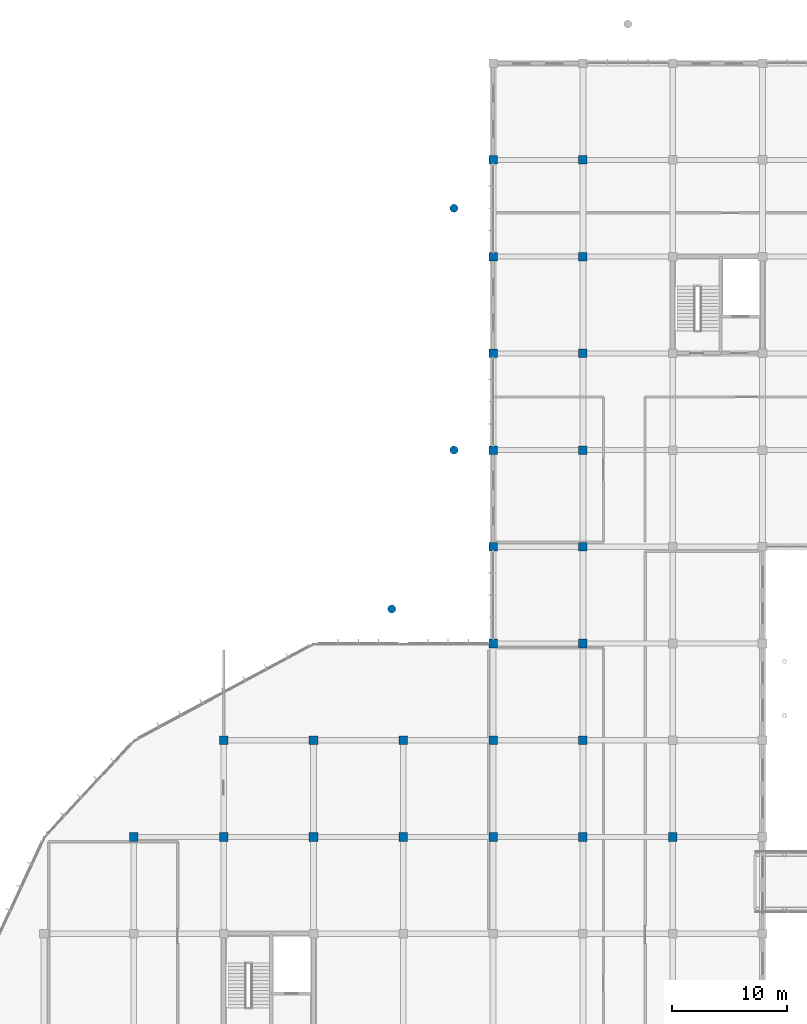
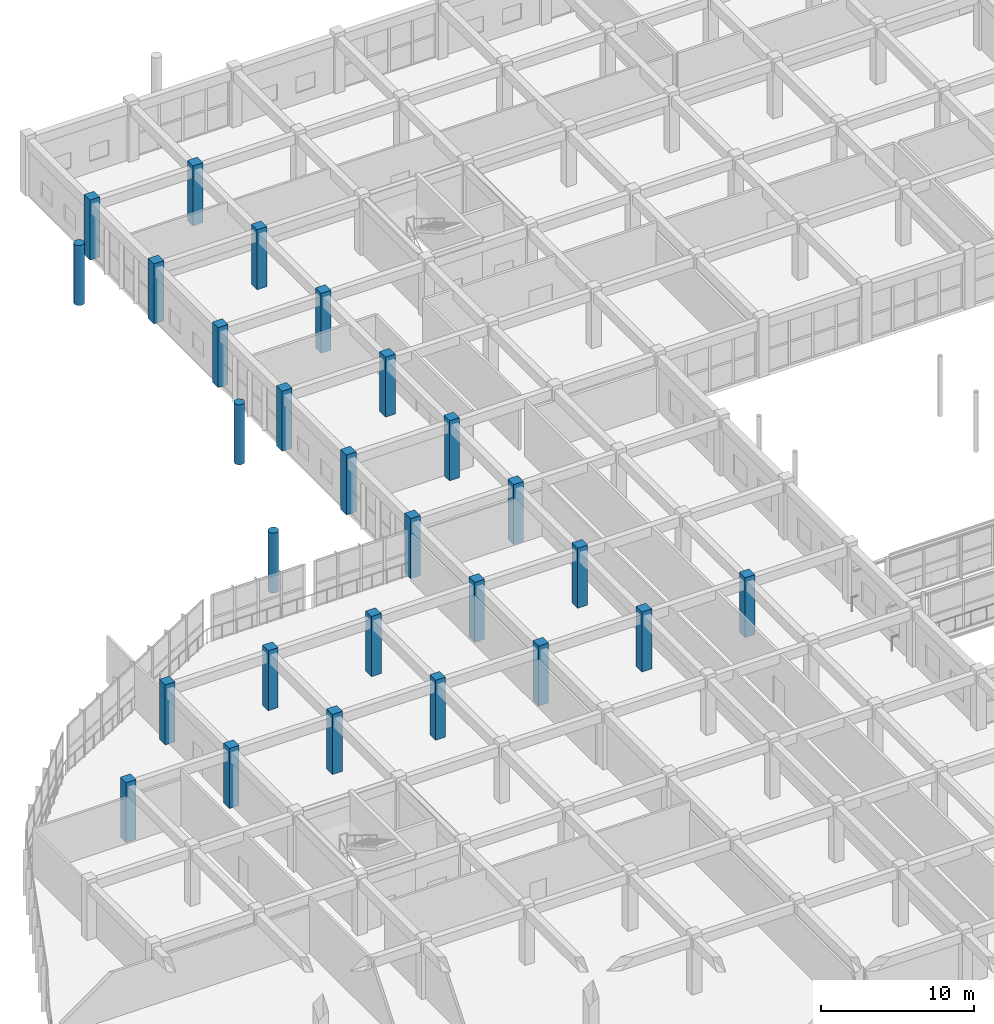
# One storey, part 4 of 175: 27 columns.
"""IFC4 building model written with IfcOpenShell, lengths in metres."""

from ifc_helpers import new_model, si_unit, direction, frame, origin, origin_2d, place, context, subcontext, project, spatial, rectangle, circle, extrude, material, material_profile, profile_set, type_object, element, save


model = new_model("IFC4")

# Units and contexts
model_context = context("Model", 3, precision=1e-05, world=origin(), true_north=direction((0.0, 1.0)))
body_context = subcontext(model_context, "Body", "Model", "MODEL_VIEW")
ifc_project = project(units=[si_unit("LENGTHUNIT", "METRE"), si_unit("AREAUNIT", "SQUARE_METRE"), si_unit("VOLUMEUNIT", "CUBIC_METRE"), si_unit("PLANEANGLEUNIT", "RADIAN"), si_unit("MASSUNIT", "GRAM", prefix="KILO")], contexts=[model_context])

# Site, building, storey
site_placement = place(None, origin())
site = spatial("IfcSite", under=ifc_project, at=site_placement, CompositionType="ELEMENT")
building_placement = place(site_placement, origin())
building = spatial("IfcBuilding", under=site, at=building_placement, Name="Zizhar Promenade General Hospital", CompositionType="ELEMENT")
storey_placement = place(building_placement, frame((0.0, 0.0, 4.800048828125)))
storey = spatial("IfcBuildingStorey", under=building, at=storey_placement, Name="L01", CompositionType="ELEMENT", Elevation=4.800048828125)

# Columns
ifc_material_1 = material(Name="Concrete C40/50", Category="concrete")
ifc_material_profile_1 = material_profile(ifc_material_1, circle(Radius=0.35009765625, at=origin_2d()))
ifc_profile_set_1 = profile_set([ifc_material_profile_1], Name="Concrete C40/50")
column_type_1 = type_object("IfcColumnType", Name="COL-CIRC-700", PredefinedType="PILASTER", material=ifc_profile_set_1)
for number, where, z_axis, x_axis, name in (
    (1, (38.0, 87.0, 0.0), (0.0, 0.0, 1.0), (1.0, 0.0, 0.0), "Base Roof Colonnade Column 03 (L01)"),
    (2, (43.39990234375, 100.800048828125, 0.0), (0.0, 0.0, 1.0), (1.0, 0.0, 0.0), "Base Roof Colonnade Column 04 (L01)"),
    (3, (43.39990234375, 121.800048828125, 0.0), (0.0, 0.0, 1.0), (1.0, 0.0, 0.0), "Base Roof Colonnade Column 05 (L01)"),
):
    element("IfcColumn", number, at=place(storey_placement, frame(where, z_axis=z_axis, x_axis=x_axis)), inside=storey, type_object=column_type_1, Name=name, PredefinedType="PILASTER", context=body_context, shape_type="SweptSolid", body=[
        extrude(circle(Radius=0.35009765625, at=origin_2d()), origin(), (0.0, 0.0, 1.0), 4.800048828125),
    ])
ifc_material_2 = material(Name="Concrete C40/50", Category="concrete")
ifc_material_profile_2 = material_profile(ifc_material_2, rectangle(XDim=0.75, YDim=0.75, at=origin_2d()))
ifc_profile_set_2 = profile_set([ifc_material_profile_2], Name="Concrete C40/50")
column_type_2 = type_object("IfcColumnType", Name="COL-RC-750", PredefinedType="COLUMN", material=ifc_profile_set_2)
for number, where, z_axis, x_axis, name in (
    (4, (15.60009765625, 67.199951171875, 0.0), (0.0, 0.0, 1.0), (1.0, 0.0, 0.0), "Column 3-J (L01)"),
    (5, (23.39990234375, 67.199951171875, 0.0), (0.0, 0.0, 1.0), (1.0, 0.0, 0.0), "Column 4-J (L01)"),
    (6, (23.39990234375, 75.60009765625, 0.0), (0.0, 0.0, 1.0), (1.0, 0.0, 0.0), "Column 4-K (L01)"),
    (7, (31.199951171875, 67.199951171875, 0.0), (0.0, 0.0, 1.0), (1.0, 0.0, 0.0), "Column 5-J (L01)"),
    (8, (31.199951171875, 75.60009765625, 0.0), (0.0, 0.0, 1.0), (1.0, 0.0, 0.0), "Column 5-K (L01)"),
    (9, (39.0, 67.199951171875, 0.0), (0.0, 0.0, 1.0), (1.0, 0.0, 0.0), "Column 6-J (L01)"),
    (10, (39.0, 75.60009765625, 0.0), (0.0, 0.0, 1.0), (1.0, 0.0, 0.0), "Column 6-K (L01)"),
    (11, (46.800048828125, 67.199951171875, 0.0), (0.0, 0.0, 1.0), (1.0, 0.0, 0.0), "Column 7-J (L01)"),
    (12, (46.800048828125, 75.60009765625, 0.0), (0.0, 0.0, 1.0), (1.0, 0.0, 0.0), "Column 7-K (L01)"),
    (13, (46.800048828125, 84.0, 0.0), (0.0, 0.0, 1.0), (1.0, 0.0, 0.0), "Column 7-L (L01)"),
    (14, (46.800048828125, 92.39990234375, 0.0), (0.0, 0.0, 1.0), (1.0, 0.0, 0.0), "Column 7-M (L01)"),
    (15, (46.800048828125, 100.800048828125, 0.0), (0.0, 0.0, 1.0), (1.0, 0.0, 0.0), "Column 7-N (L01)"),
    (16, (46.800048828125, 109.199951171875, 0.0), (0.0, 0.0, 1.0), (1.0, 0.0, 0.0), "Column 7-P (L01)"),
    (17, (46.800048828125, 117.60009765625, 0.0), (0.0, 0.0, 1.0), (1.0, 0.0, 0.0), "Column 7-Q (L01)"),
    (18, (46.800048828125, 126.0, 0.0), (0.0, 0.0, 1.0), (1.0, 0.0, 0.0), "Column 7-R (L01)"),
    (19, (54.60009765625, 67.199951171875, 0.0), (0.0, 0.0, 1.0), (1.0, 0.0, 0.0), "Column 8-J (L01)"),
    (20, (54.60009765625, 75.60009765625, 0.0), (0.0, 0.0, 1.0), (1.0, 0.0, 0.0), "Column 8-K (L01)"),
    (21, (54.60009765625, 84.0, 0.0), (0.0, 0.0, 1.0), (1.0, 0.0, 0.0), "Column 8-L (L01)"),
    (22, (54.60009765625, 92.39990234375, 0.0), (0.0, 0.0, 1.0), (1.0, 0.0, 0.0), "Column 8-M (L01)"),
    (23, (54.60009765625, 100.800048828125, 0.0), (0.0, 0.0, 1.0), (1.0, 0.0, 0.0), "Column 8-N (L01)"),
    (24, (54.60009765625, 109.199951171875, 0.0), (0.0, 0.0, 1.0), (1.0, 0.0, 0.0), "Column 8-P (L01)"),
    (25, (54.60009765625, 117.60009765625, 0.0), (0.0, 0.0, 1.0), (1.0, 0.0, 0.0), "Column 8-Q (L01)"),
    (26, (54.60009765625, 126.0, 0.0), (0.0, 0.0, 1.0), (1.0, 0.0, 0.0), "Column 8-R (L01)"),
    (27, (62.39990234375, 67.199951171875, 0.0), (0.0, 0.0, 1.0), (1.0, 0.0, 0.0), "Column 9-J (L01)"),
):
    element("IfcColumn", number, at=place(storey_placement, frame(where, z_axis=z_axis, x_axis=x_axis)), inside=storey, type_object=column_type_2, Name=name, PredefinedType="COLUMN", context=body_context, shape_type="SweptSolid", body=[
        extrude(rectangle(XDim=0.75, YDim=0.75, at=origin_2d()), origin(), (0.0, 0.0, 1.0), 4.800048828125),
    ])

save(model, "model.ifc")
